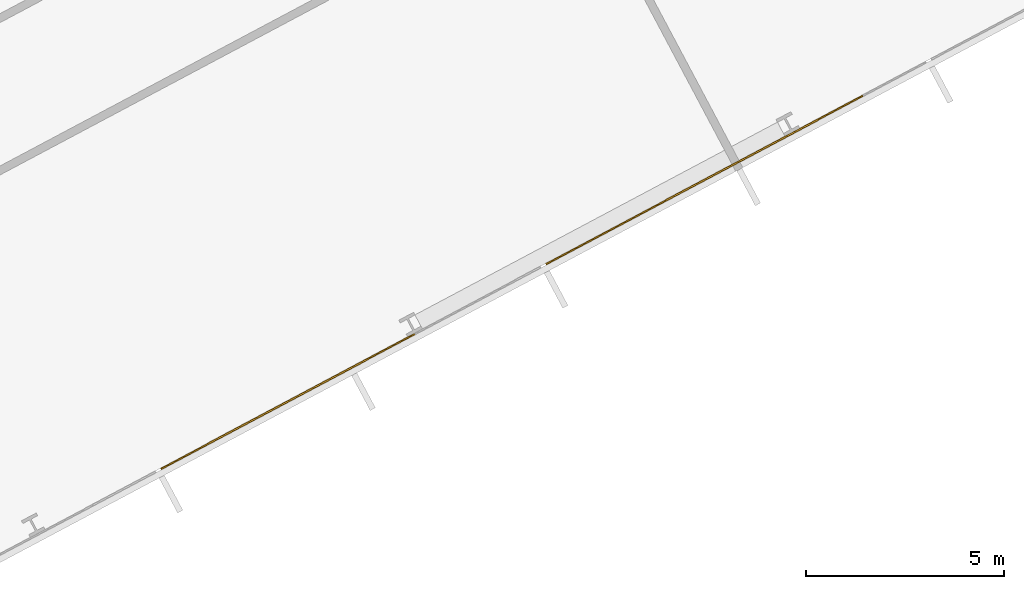
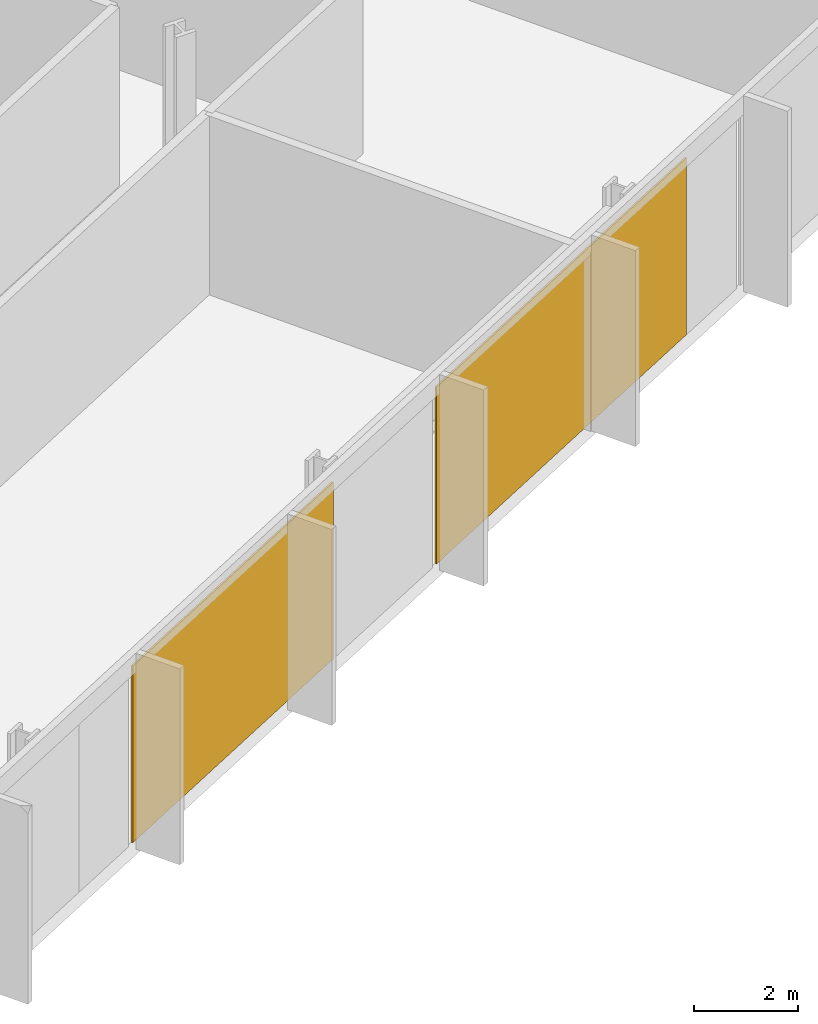
# One storey, part 27 of 30: 2 coverings, 1 element without a shape of its own.
"""IFC4 building model written with IfcOpenShell, lengths in metres."""

from ifc_helpers import new_model, si_unit, direction, frame, origin, origin_2d, place, context, subcontext, project, spatial, rectangle, extrude, material, layer, layer_set, type_object, element, aggregate, save


model = new_model("IFC4")

# Units and contexts
model_context = context("Model", 3, precision=1e-05, world=origin(), true_north=direction((0.0, 1.0)))
body_context = subcontext(model_context, "Body", "Model", "MODEL_VIEW")
ifc_project = project(units=[si_unit("LENGTHUNIT", "METRE"), si_unit("AREAUNIT", "SQUARE_METRE"), si_unit("VOLUMEUNIT", "CUBIC_METRE"), si_unit("PLANEANGLEUNIT", "RADIAN"), si_unit("MASSUNIT", "GRAM", prefix="KILO")], contexts=[model_context])

# Site, building, storey
site_placement = place(None, origin())
site = spatial("IfcSite", under=ifc_project, at=site_placement, CompositionType="ELEMENT")
building_placement = place(site_placement, origin())
building = spatial("IfcBuilding", under=site, at=building_placement, Name="Cormorant Relay Tower", CompositionType="ELEMENT")
storey_placement = place(building_placement, frame((0.0, 0.0, 80.0)))
storey = spatial("IfcBuildingStorey", under=building, at=storey_placement, Name="L15", CompositionType="ELEMENT", Elevation=80.0)

# Curtain wall, coverings
ifc_material_1 = material(Name="Aluminium 6063-T6 anodised bronze", Category="aluminium")
ifc_layer_1 = layer(ifc_material_1, 0.199951171875)
ifc_layer_set_1 = layer_set([ifc_layer_1], Name="CW1 unitised bronze curtain wall with vertical fins")
curtain_wall_type = type_object("IfcCurtainWallType", Name="CW1 unitised bronze curtain wall with vertical fins", PredefinedType="NOTDEFINED", material=ifc_layer_set_1)
curtain_wall_placement = place(storey_placement, origin())
curtain_wall = element("IfcCurtainWall", 1, at=curtain_wall_placement, inside=storey, type_object=curtain_wall_type, Name="CW1 curtain wall 2", PredefinedType="NOTDEFINED")
ifc_material_2 = material(Name="Pale bronze anodised aluminium insulated panel", Category="aluminium")
ifc_layer_2 = layer(ifc_material_2, 0.0400390625)
ifc_layer_set_2 = layer_set([ifc_layer_2], Name="CW1 pale bronze insulated panel 40")
covering_type = type_object("IfcCoveringType", Name="CW1 pale bronze insulated panel 40", PredefinedType="CLADDING", material=ifc_layer_set_2)
covering_1_placement = place(storey_placement, frame((49.735595703125, 2.63818359375, 0.0), z_axis=(0.0, 0.0, 1.0), x_axis=(0.882947592859, 0.469471562786, 0.0)))
covering_1 = element("IfcCovering", 2, at=covering_1_placement, type_object=covering_type, Name="CW1 panel S09", PredefinedType="CLADDING", context=body_context, shape_type="SweptSolid", body=[
    extrude(rectangle(XDim=7.273681640625, YDim=0.0400390625, at=origin_2d()), origin(), (0.0, 0.0, 1.0), 4.14990234375),
])
covering_2_placement = place(storey_placement, frame((60.263671875, 8.236083984375, 0.0), z_axis=(0.0, 0.0, 1.0), x_axis=(0.882947592859, 0.469471562786, 0.0)))
covering_2 = element("IfcCovering", 3, at=covering_2_placement, type_object=covering_type, Name="CW1 panel S11", PredefinedType="CLADDING", context=body_context, shape_type="SweptSolid", body=[
    extrude(rectangle(XDim=9.07373046875, YDim=0.0400390625, at=origin_2d()), origin(), (0.0, 0.0, 1.0), 4.14990234375),
])
aggregate(curtain_wall, [covering_1, covering_2])

save(model, "model.ifc")
